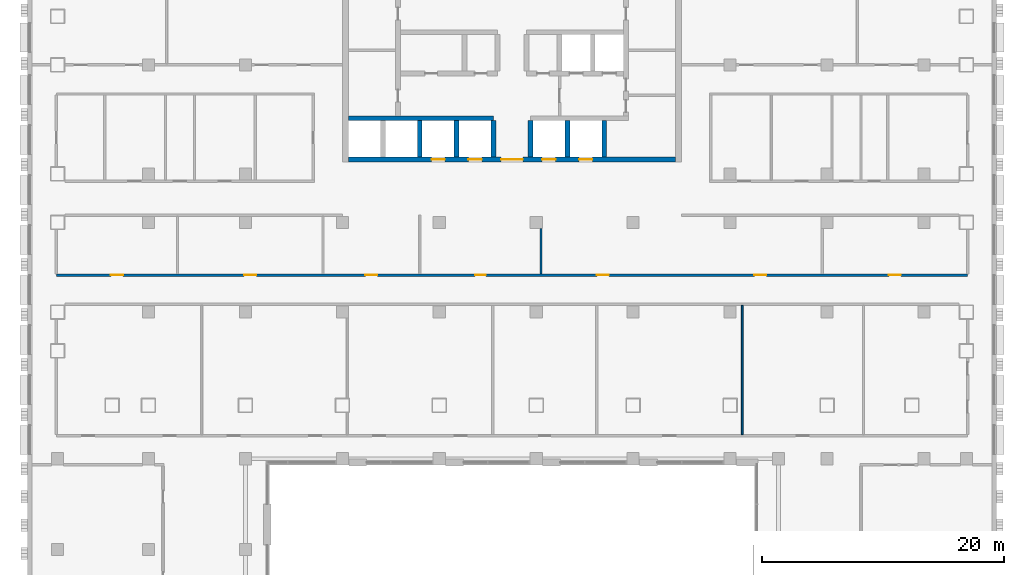
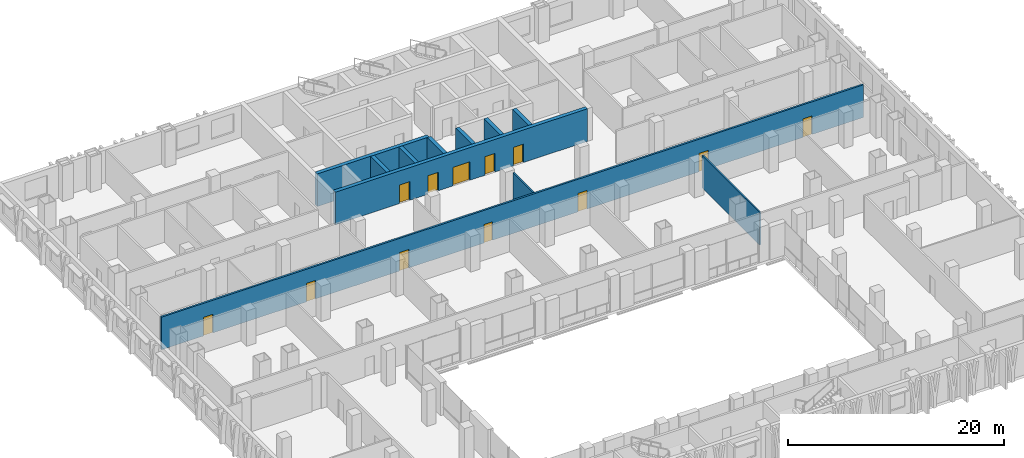
# One storey, part 13 of 25: 12 doors, 11 walls, 12 openings.
"""IFC4 building model written with IfcOpenShell, lengths in metres."""

from ifc_helpers import new_model, si_unit, direction, frame, frame_2d, origin, place, context, subcontext, project, spatial, rectangle, extrude, material, layer, layer_set, type_object, element, fill, save


model = new_model("IFC4")

# Units and contexts
model_context = context("Model", 3, precision=1e-05, world=origin(), true_north=direction((0.0, 1.0)))
body_context = subcontext(model_context, "Body", "Model", "MODEL_VIEW")
ifc_project = project(units=[si_unit("LENGTHUNIT", "METRE"), si_unit("AREAUNIT", "SQUARE_METRE"), si_unit("VOLUMEUNIT", "CUBIC_METRE"), si_unit("PLANEANGLEUNIT", "RADIAN"), si_unit("MASSUNIT", "GRAM", prefix="KILO")], contexts=[model_context])

# Site, building, storey
site_placement = place(None, origin())
site = spatial("IfcSite", under=ifc_project, at=site_placement, CompositionType="ELEMENT")
building_placement = place(site_placement, origin())
building = spatial("IfcBuilding", under=site, at=building_placement, Name="Vidyagriha Tower", CompositionType="ELEMENT")
storey_placement = place(building_placement, frame((0.0, 0.0, 14.0)))
storey = spatial("IfcBuildingStorey", under=building, at=storey_placement, Name="L03", CompositionType="ELEMENT", Elevation=14.0)

# Wall, openings, doors
ifc_material_1 = material(Name="Concrete C60/75", Category="concrete")
ifc_layer_1 = layer(ifc_material_1, 0.39990234375)
ifc_layer_set_1 = layer_set([ifc_layer_1], Name="Concrete C60/75")
wall_type_1 = type_object("IfcWallType", Name="Core shear wall 400 mm", PredefinedType="SHEAR", material=ifc_layer_set_1)
wall_1_placement = place(storey_placement, frame((-13.5, 3.199951171875, 0.0)))
wall_1 = element("IfcWall", 1, at=wall_1_placement, inside=storey, type_object=wall_type_1, Name="Core front wall", PredefinedType="SHEAR", context=body_context, shape_type="SweptSolid", body=[
    extrude(rectangle(XDim=27.0, YDim=0.39990234375, at=frame_2d((13.5, 0.0))), origin(), (0.0, 0.0, 1.0), 3.699951171875),
])
opening_1_placement = place(wall_1_placement, frame((6.861083984375, 0.0, 0.0)))
opening_1 = element("IfcOpeningElement", 2, at=opening_1_placement, cuts=wall_1, Name="Opening LD03-01", PredefinedType="OPENING", context=body_context, shape_type="SweptSolid", body=[
    extrude(rectangle(XDim=1.10009765625, YDim=2.10009765625, at=frame_2d((0.550048828125, 1.050048828125))), frame((0.0, 0.2099609375, 0.0), z_axis=(0.0, -1.0, 0.0), x_axis=(1.0, 0.0, 0.0)), (0.0, 0.0, 1.0), 0.419921875),
])
opening_2_placement = place(wall_1_placement, frame((9.905517578125, 0.0, 0.0)))
opening_2 = element("IfcOpeningElement", 3, at=opening_2_placement, cuts=wall_1, Name="Opening LD03-02", PredefinedType="OPENING", context=body_context, shape_type="SweptSolid", body=[
    extrude(rectangle(XDim=1.10009765625, YDim=2.10009765625, at=frame_2d((0.550048828125, 1.050048828125))), frame((0.0, 0.2099609375, 0.0), z_axis=(0.0, -1.0, 0.0), x_axis=(1.0, 0.0, 0.0)), (0.0, 0.0, 1.0), 0.419921875),
])
opening_3_placement = place(wall_1_placement, frame((15.994384765625, 0.0, 0.0)))
opening_3 = element("IfcOpeningElement", 4, at=opening_3_placement, cuts=wall_1, Name="Opening LD03-03", PredefinedType="OPENING", context=body_context, shape_type="SweptSolid", body=[
    extrude(rectangle(XDim=1.10009765625, YDim=2.10009765625, at=frame_2d((0.550048828125, 1.050048828125))), frame((0.0, 0.2099609375, 0.0), z_axis=(0.0, -1.0, 0.0), x_axis=(1.0, 0.0, 0.0)), (0.0, 0.0, 1.0), 0.419921875),
])
opening_4_placement = place(wall_1_placement, frame((19.038818359375, 0.0, 0.0)))
opening_4 = element("IfcOpeningElement", 5, at=opening_4_placement, cuts=wall_1, Name="Opening LD03-04", PredefinedType="OPENING", context=body_context, shape_type="SweptSolid", body=[
    extrude(rectangle(XDim=1.10009765625, YDim=2.10009765625, at=frame_2d((0.550048828125, 1.050048828125))), frame((0.0, 0.2099609375, 0.0), z_axis=(0.0, -1.0, 0.0), x_axis=(1.0, 0.0, 0.0)), (0.0, 0.0, 1.0), 0.419921875),
])
opening_5_placement = place(wall_1_placement, frame((12.60009765625, 0.0, 0.0)))
opening_5 = element("IfcOpeningElement", 6, at=opening_5_placement, cuts=wall_1, Name="Opening D03-01", PredefinedType="OPENING", context=body_context, shape_type="SweptSolid", body=[
    extrude(rectangle(XDim=1.800048828125, YDim=2.10009765625, at=frame_2d((0.89990234375, 1.050048828125))), frame((0.0, 0.2099609375, 0.0), z_axis=(0.0, -1.0, 0.0), x_axis=(1.0, 0.0, 0.0)), (0.0, 0.0, 1.0), 0.419921875),
])
ifc_material_2 = material(Name="Hollow metal door leaf")
door_type_1 = type_object("IfcDoorType", Name="Core lobby double door 1800 x 2100 mm EI 60", OperationType="NOTDEFINED", PredefinedType="DOOR", material=ifc_material_2)
door_1_placement = place(opening_5_placement, frame((1.800048828125, 0.0, 0.0), z_axis=(0.0, 0.0, 1.0), x_axis=(-1.0, 0.0, 0.0)))
door_1 = element("IfcDoor", 7, at=door_1_placement, inside=storey, type_object=door_type_1, Name="Core entrance door L03", OperationType="DOUBLE_DOOR_SINGLE_SWING", OverallHeight=2.10009765625, OverallWidth=1.800048828125, PredefinedType="DOOR", context=body_context, shape_type="SweptSolid", body=[
    extrude(rectangle(XDim=1.800048828125, YDim=2.10009765625, at=frame_2d((0.89990234375, 1.050048828125))), frame((0.0, 0.02490234375, 0.0), z_axis=(0.0, -1.0, 0.0), x_axis=(1.0, 0.0, 0.0)), (0.0, 0.0, 1.0), 0.050048828125),
])
fill(opening_5, door_1)
ifc_material_3 = material(Name="Stainless steel sliding door panel", Category="steel")
door_type_2 = type_object("IfcDoorType", Name="Lift landing door 1100 x 2100 mm EI 90", OperationType="NOTDEFINED", PredefinedType="DOOR", material=ifc_material_3)
door_2_placement = place(opening_1_placement, origin())
door_2 = element("IfcDoor", 8, at=door_2_placement, inside=storey, type_object=door_type_2, Name="Landing door LR1 L03", OperationType="SLIDING_TO_LEFT", OverallHeight=2.10009765625, OverallWidth=1.10009765625, PredefinedType="DOOR", context=body_context, shape_type="SweptSolid", body=[
    extrude(rectangle(XDim=1.10009765625, YDim=2.10009765625, at=frame_2d((0.550048828125, 1.050048828125))), frame((0.0, 0.02490234375, 0.0), z_axis=(0.0, -1.0, 0.0), x_axis=(1.0, 0.0, 0.0)), (0.0, 0.0, 1.0), 0.050048828125),
])
fill(opening_1, door_2)
door_3_placement = place(opening_2_placement, origin())
door_3 = element("IfcDoor", 9, at=door_3_placement, inside=storey, type_object=door_type_2, Name="Landing door LR2 L03", OperationType="SLIDING_TO_LEFT", OverallHeight=2.10009765625, OverallWidth=1.10009765625, PredefinedType="DOOR", context=body_context, shape_type="SweptSolid", body=[
    extrude(rectangle(XDim=1.10009765625, YDim=2.10009765625, at=frame_2d((0.550048828125, 1.050048828125))), frame((0.0, 0.02490234375, 0.0), z_axis=(0.0, -1.0, 0.0), x_axis=(1.0, 0.0, 0.0)), (0.0, 0.0, 1.0), 0.050048828125),
])
fill(opening_2, door_3)
door_4_placement = place(opening_3_placement, origin())
door_4 = element("IfcDoor", 10, at=door_4_placement, inside=storey, type_object=door_type_2, Name="Landing door LR3 L03", OperationType="SLIDING_TO_LEFT", OverallHeight=2.10009765625, OverallWidth=1.10009765625, PredefinedType="DOOR", context=body_context, shape_type="SweptSolid", body=[
    extrude(rectangle(XDim=1.10009765625, YDim=2.10009765625, at=frame_2d((0.550048828125, 1.050048828125))), frame((0.0, 0.02490234375, 0.0), z_axis=(0.0, -1.0, 0.0), x_axis=(1.0, 0.0, 0.0)), (0.0, 0.0, 1.0), 0.050048828125),
])
fill(opening_3, door_4)
door_5_placement = place(opening_4_placement, origin())
door_5 = element("IfcDoor", 11, at=door_5_placement, inside=storey, type_object=door_type_2, Name="Landing door LR4 L03", OperationType="SLIDING_TO_LEFT", OverallHeight=2.10009765625, OverallWidth=1.10009765625, PredefinedType="DOOR", context=body_context, shape_type="SweptSolid", body=[
    extrude(rectangle(XDim=1.10009765625, YDim=2.10009765625, at=frame_2d((0.550048828125, 1.050048828125))), frame((0.0, 0.02490234375, 0.0), z_axis=(0.0, -1.0, 0.0), x_axis=(1.0, 0.0, 0.0)), (0.0, 0.0, 1.0), 0.050048828125),
])
fill(opening_4, door_5)

# Walls
wall_2_placement = place(storey_placement, frame((-13.5, 6.60009765625, 0.0)))
element("IfcWall", 12, at=wall_2_placement, inside=storey, type_object=wall_type_1, Name="Core lobby south wall west", PredefinedType="SHEAR", context=body_context, shape_type="SweptSolid", body=[
    extrude(rectangle(XDim=11.977783203125, YDim=0.39990234375, at=frame_2d((5.98876953125, 0.0))), origin(), (0.0, 0.0, 1.0), 3.699951171875),
])
for number, where, z_axis, x_axis, name in (
    (13, (-7.611083984375, 3.39990234375, 0.0), (0.0, 0.0, 1.0), (0.0, 1.0, 0.0), "Core bay wall S2"),
    (14, (-4.566650390625, 3.39990234375, 0.0), (0.0, 0.0, 1.0), (0.0, 1.0, 0.0), "Core bay wall S3"),
    (15, (-1.522216796875, 3.39990234375, 0.0), (0.0, 0.0, 1.0), (0.0, 1.0, 0.0), "Core bay wall S4"),
    (16, (1.522216796875, 3.39990234375, 0.0), (0.0, 0.0, 1.0), (0.0, 1.0, 0.0), "Core bay wall S5"),
    (17, (4.566650390625, 3.39990234375, 0.0), (0.0, 0.0, 1.0), (0.0, 1.0, 0.0), "Core bay wall S6"),
    (18, (7.611083984375, 3.39990234375, 0.0), (0.0, 0.0, 1.0), (0.0, 1.0, 0.0), "Core bay wall S7"),
):
    element("IfcWall", number, at=place(storey_placement, frame(where, z_axis=z_axis, x_axis=x_axis)), inside=storey, type_object=wall_type_1, Name=name, PredefinedType="SHEAR", context=body_context, shape_type="SweptSolid", body=[
        extrude(rectangle(XDim=3.0, YDim=0.39990234375, at=frame_2d((1.5, 0.0))), origin(), (0.0, 0.0, 1.0), 3.699951171875),
    ])

# Wall, openings, doors
ifc_material_4 = material(Name="Fire rated gypsum board on light gauge framing")
ifc_layer_2 = layer(ifc_material_4, 0.199951171875)
ifc_layer_set_2 = layer_set([ifc_layer_2], Name="Fire rated gypsum board on light gauge framing")
wall_type_2 = type_object("IfcWallType", Name="Fire Rated Corridor Wall 200", PredefinedType="PARTITIONING", material=ifc_layer_set_2)
wall_3_placement = place(storey_placement, frame((-37.599853515625, -6.35009765625, 0.0)))
wall_3 = element("IfcWall", 19, at=wall_3_placement, inside=storey, type_object=wall_type_2, Name="L03 Fire Rated Corridor Wall 200 023", PredefinedType="PARTITIONING", context=body_context, shape_type="SweptSolid", body=[
    extrude(rectangle(XDim=75.19970703125, YDim=0.199951171875, at=frame_2d((37.599853515625, 0.0))), origin(), (0.0, 0.0, 1.0), 3.699951171875),
])
opening_6_placement = place(wall_3_placement, frame((4.5, 0.0, 0.0)))
opening_6 = element("IfcOpeningElement", 20, at=opening_6_placement, cuts=wall_3, Name="Opening D03-39", PredefinedType="OPENING", context=body_context, shape_type="SweptSolid", body=[
    extrude(rectangle(XDim=1.0, YDim=2.10009765625, at=frame_2d((0.5, 1.050048828125))), frame((0.0, 0.10986328125, 0.0), z_axis=(0.0, -1.0, 0.0), x_axis=(1.0, 0.0, 0.0)), (0.0, 0.0, 1.0), 0.219970703125),
])
opening_7_placement = place(wall_3_placement, frame((15.5, 0.0, 0.0)))
opening_7 = element("IfcOpeningElement", 21, at=opening_7_placement, cuts=wall_3, Name="Opening D03-40", PredefinedType="OPENING", context=body_context, shape_type="SweptSolid", body=[
    extrude(rectangle(XDim=1.0, YDim=2.10009765625, at=frame_2d((0.5, 1.050048828125))), frame((0.0, 0.10986328125, 0.0), z_axis=(0.0, -1.0, 0.0), x_axis=(1.0, 0.0, 0.0)), (0.0, 0.0, 1.0), 0.219970703125),
])
opening_8_placement = place(wall_3_placement, frame((25.5, 0.0, 0.0)))
opening_8 = element("IfcOpeningElement", 22, at=opening_8_placement, cuts=wall_3, Name="Opening D03-41", PredefinedType="OPENING", context=body_context, shape_type="SweptSolid", body=[
    extrude(rectangle(XDim=1.0, YDim=2.10009765625, at=frame_2d((0.5, 1.050048828125))), frame((0.0, 0.10986328125, 0.0), z_axis=(0.0, -1.0, 0.0), x_axis=(1.0, 0.0, 0.0)), (0.0, 0.0, 1.0), 0.219970703125),
])
opening_9_placement = place(wall_3_placement, frame((34.5498046875, 0.0, 0.0)))
opening_9 = element("IfcOpeningElement", 23, at=opening_9_placement, cuts=wall_3, Name="Opening D03-42", PredefinedType="OPENING", context=body_context, shape_type="SweptSolid", body=[
    extrude(rectangle(XDim=0.89990234375, YDim=2.10009765625, at=frame_2d((0.449951171875, 1.050048828125))), frame((0.0, 0.10986328125, 0.0), z_axis=(0.0, -1.0, 0.0), x_axis=(1.0, 0.0, 0.0)), (0.0, 0.0, 1.0), 0.219970703125),
])
opening_10_placement = place(wall_3_placement, frame((44.60400390625, 0.0, 0.0)))
opening_10 = element("IfcOpeningElement", 24, at=opening_10_placement, cuts=wall_3, Name="Opening D03-43", PredefinedType="OPENING", context=body_context, shape_type="SweptSolid", body=[
    extrude(rectangle(XDim=1.0, YDim=2.10009765625, at=frame_2d((0.5, 1.050048828125))), frame((0.0, 0.10986328125, 0.0), z_axis=(0.0, -1.0, 0.0), x_axis=(1.0, 0.0, 0.0)), (0.0, 0.0, 1.0), 0.219970703125),
])
opening_11_placement = place(wall_3_placement, frame((57.595947265625, 0.0, 0.0)))
opening_11 = element("IfcOpeningElement", 25, at=opening_11_placement, cuts=wall_3, Name="Opening D03-44", PredefinedType="OPENING", context=body_context, shape_type="SweptSolid", body=[
    extrude(rectangle(XDim=1.0, YDim=2.10009765625, at=frame_2d((0.5, 1.050048828125))), frame((0.0, 0.10986328125, 0.0), z_axis=(0.0, -1.0, 0.0), x_axis=(1.0, 0.0, 0.0)), (0.0, 0.0, 1.0), 0.219970703125),
])
opening_12_placement = place(wall_3_placement, frame((68.699951171875, 0.0, 0.0)))
opening_12 = element("IfcOpeningElement", 26, at=opening_12_placement, cuts=wall_3, Name="Opening D03-45", PredefinedType="OPENING", context=body_context, shape_type="SweptSolid", body=[
    extrude(rectangle(XDim=1.0, YDim=2.10009765625, at=frame_2d((0.5, 1.050048828125))), frame((0.0, 0.10986328125, 0.0), z_axis=(0.0, -1.0, 0.0), x_axis=(1.0, 0.0, 0.0)), (0.0, 0.0, 1.0), 0.219970703125),
])
ifc_material_5 = material(Name="Steel fire door set", Category="steel")
door_type_3 = type_object("IfcDoorType", Name="Podium Door 1000x2100 EI 30", OperationType="NOTDEFINED", PredefinedType="DOOR", material=ifc_material_5)
door_6_placement = place(opening_6_placement, origin())
door_6 = element("IfcDoor", 27, at=door_6_placement, inside=storey, type_object=door_type_3, Name="L03 door D03-39", OperationType="SINGLE_SWING_LEFT", OverallHeight=2.10009765625, OverallWidth=1.0, PredefinedType="DOOR", context=body_context, shape_type="SweptSolid", body=[
    extrude(rectangle(XDim=1.0, YDim=2.10009765625, at=frame_2d((0.5, 1.050048828125))), frame((0.0, 0.02490234375, 0.0), z_axis=(0.0, -1.0, 0.0), x_axis=(1.0, 0.0, 0.0)), (0.0, 0.0, 1.0), 0.050048828125),
])
fill(opening_6, door_6)
door_7_placement = place(opening_7_placement, origin())
door_7 = element("IfcDoor", 28, at=door_7_placement, inside=storey, type_object=door_type_3, Name="L03 door D03-40", OperationType="SINGLE_SWING_LEFT", OverallHeight=2.10009765625, OverallWidth=1.0, PredefinedType="DOOR", context=body_context, shape_type="SweptSolid", body=[
    extrude(rectangle(XDim=1.0, YDim=2.10009765625, at=frame_2d((0.5, 1.050048828125))), frame((0.0, 0.02490234375, 0.0), z_axis=(0.0, -1.0, 0.0), x_axis=(1.0, 0.0, 0.0)), (0.0, 0.0, 1.0), 0.050048828125),
])
fill(opening_7, door_7)
door_8_placement = place(opening_8_placement, origin())
door_8 = element("IfcDoor", 29, at=door_8_placement, inside=storey, type_object=door_type_3, Name="L03 door D03-41", OperationType="SINGLE_SWING_LEFT", OverallHeight=2.10009765625, OverallWidth=1.0, PredefinedType="DOOR", context=body_context, shape_type="SweptSolid", body=[
    extrude(rectangle(XDim=1.0, YDim=2.10009765625, at=frame_2d((0.5, 1.050048828125))), frame((0.0, 0.02490234375, 0.0), z_axis=(0.0, -1.0, 0.0), x_axis=(1.0, 0.0, 0.0)), (0.0, 0.0, 1.0), 0.050048828125),
])
fill(opening_8, door_8)
door_9_placement = place(opening_10_placement, origin())
door_9 = element("IfcDoor", 30, at=door_9_placement, inside=storey, type_object=door_type_3, Name="L03 door D03-43", OperationType="SINGLE_SWING_RIGHT", OverallHeight=2.10009765625, OverallWidth=1.0, PredefinedType="DOOR", context=body_context, shape_type="SweptSolid", body=[
    extrude(rectangle(XDim=1.0, YDim=2.10009765625, at=frame_2d((0.5, 1.050048828125))), frame((0.0, 0.02490234375, 0.0), z_axis=(0.0, -1.0, 0.0), x_axis=(1.0, 0.0, 0.0)), (0.0, 0.0, 1.0), 0.050048828125),
])
fill(opening_10, door_9)
door_10_placement = place(opening_11_placement, origin())
door_10 = element("IfcDoor", 31, at=door_10_placement, inside=storey, type_object=door_type_3, Name="L03 door D03-44", OperationType="SINGLE_SWING_RIGHT", OverallHeight=2.10009765625, OverallWidth=1.0, PredefinedType="DOOR", context=body_context, shape_type="SweptSolid", body=[
    extrude(rectangle(XDim=1.0, YDim=2.10009765625, at=frame_2d((0.5, 1.050048828125))), frame((0.0, 0.02490234375, 0.0), z_axis=(0.0, -1.0, 0.0), x_axis=(1.0, 0.0, 0.0)), (0.0, 0.0, 1.0), 0.050048828125),
])
fill(opening_11, door_10)
door_11_placement = place(opening_12_placement, origin())
door_11 = element("IfcDoor", 32, at=door_11_placement, inside=storey, type_object=door_type_3, Name="L03 door D03-45", OperationType="SINGLE_SWING_RIGHT", OverallHeight=2.10009765625, OverallWidth=1.0, PredefinedType="DOOR", context=body_context, shape_type="SweptSolid", body=[
    extrude(rectangle(XDim=1.0, YDim=2.10009765625, at=frame_2d((0.5, 1.050048828125))), frame((0.0, 0.02490234375, 0.0), z_axis=(0.0, -1.0, 0.0), x_axis=(1.0, 0.0, 0.0)), (0.0, 0.0, 1.0), 0.050048828125),
])
fill(opening_12, door_11)
ifc_material_6 = material(Name="Steel fire door set", Category="steel")
door_type_4 = type_object("IfcDoorType", Name="Podium Door 900x2100 EI 30", OperationType="NOTDEFINED", PredefinedType="DOOR", material=ifc_material_6)
door_12_placement = place(opening_9_placement, origin())
door_12 = element("IfcDoor", 33, at=door_12_placement, inside=storey, type_object=door_type_4, Name="L03 door D03-42", OperationType="SINGLE_SWING_LEFT", OverallHeight=2.10009765625, OverallWidth=0.89990234375, PredefinedType="DOOR", context=body_context, shape_type="SweptSolid", body=[
    extrude(rectangle(XDim=0.89990234375, YDim=2.10009765625, at=frame_2d((0.449951171875, 1.050048828125))), frame((0.0, 0.02490234375, 0.0), z_axis=(0.0, -1.0, 0.0), x_axis=(1.0, 0.0, 0.0)), (0.0, 0.0, 1.0), 0.050048828125),
])
fill(opening_9, door_12)

# Walls
ifc_material_7 = material(Name="Gypsum board on light gauge framing")
ifc_layer_3 = layer(ifc_material_7, 0.14990234375)
ifc_layer_set_3 = layer_set([ifc_layer_3], Name="Gypsum board on light gauge framing")
wall_type_3 = type_object("IfcWallType", Name="Gypsum Board Partition 150", PredefinedType="PARTITIONING", material=ifc_layer_set_3)
wall_4_placement = place(storey_placement, frame((2.39990234375, -6.25, 0.0), z_axis=(0.0, 0.0, 1.0), x_axis=(0.0, 1.0, 0.0)))
element("IfcWall", 34, at=wall_4_placement, inside=storey, type_object=wall_type_3, Name="L03 Gypsum Board Partition 150 062", PredefinedType="PARTITIONING", context=body_context, shape_type="SweptSolid", body=[
    extrude(rectangle(XDim=3.75, YDim=0.14990234375, at=frame_2d((1.875, 0.0))), origin(), (0.0, 0.0, 1.0), 3.699951171875),
])
wall_5_placement = place(storey_placement, frame((19.0, -19.5, 0.0), z_axis=(0.0, 0.0, 1.0), x_axis=(0.0, 1.0, 0.0)))
element("IfcWall", 35, at=wall_5_placement, inside=storey, type_object=wall_type_3, Name="L03 Gypsum Board Partition 150 067", PredefinedType="PARTITIONING", context=body_context, shape_type="SweptSolid", body=[
    extrude(rectangle(XDim=10.64990234375, YDim=0.14990234375, at=frame_2d((5.324951171875, 0.0))), origin(), (0.0, 0.0, 1.0), 3.699951171875),
])

save(model, "model.ifc")
